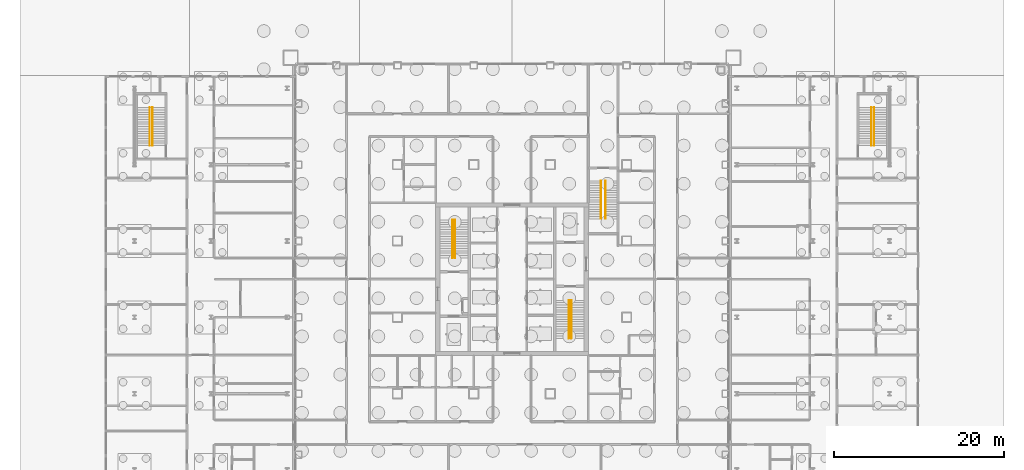
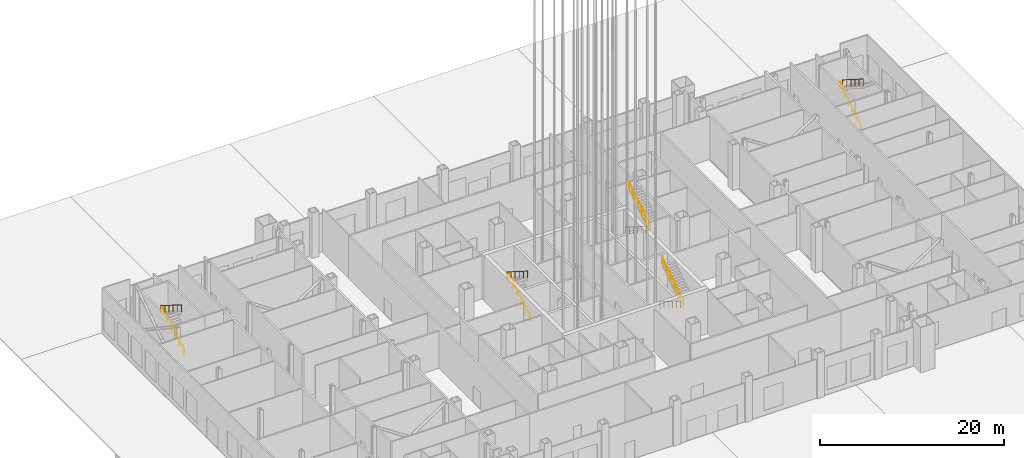
# One storey, part 15 of 36: 10 railings.
"""IFC4 building model written with IfcOpenShell, lengths in metres."""

from ifc_helpers import new_model, si_unit, direction, frame, origin, origin_2d, place, context, subcontext, project, spatial, circle, extrude, material, type_object, element, save


model = new_model("IFC4")

# Units and contexts
model_context = context("Model", 3, precision=1e-05, world=origin(), true_north=direction((0.0, 1.0)))
body_context = subcontext(model_context, "Body", "Model", "MODEL_VIEW")
ifc_project = project(units=[si_unit("LENGTHUNIT", "METRE"), si_unit("AREAUNIT", "SQUARE_METRE"), si_unit("VOLUMEUNIT", "CUBIC_METRE"), si_unit("PLANEANGLEUNIT", "RADIAN"), si_unit("MASSUNIT", "GRAM", prefix="KILO")], contexts=[model_context])

# Site, building, storey
site_placement = place(None, origin())
site = spatial("IfcSite", under=ifc_project, at=site_placement, CompositionType="ELEMENT")
building_placement = place(site_placement, origin())
building = spatial("IfcBuilding", under=site, at=building_placement, Name="Malebo Sky Hospital", CompositionType="ELEMENT")
storey_placement = place(building_placement, origin())
storey = spatial("IfcBuildingStorey", under=building, at=storey_placement, Name="L00", CompositionType="ELEMENT", Elevation=0.0)

# Railings
ifc_material = material(Name="Stainless steel tube", Category="steel")
railing_type = type_object("IfcRailingType", Name="STAIR HANDRAIL 900", PredefinedType="HANDRAIL", material=ifc_material)
railing_1_placement = place(storey_placement, frame((53.300048828125, 64.5, 0.176513671875)))
element("IfcRailing", 1, at=railing_1_placement, inside=storey, type_object=railing_type, Name="Stair handrail S1 flight 1", PredefinedType="HANDRAIL", context=body_context, shape_type="SweptSolid", body=[
    extrude(circle(Radius=0.02392578125, at=origin_2d()), frame((0.0, 0.0, 0.8759765625), z_axis=(0.0, 0.845997938375, 0.533186166611), x_axis=(-1.0, 0.0, 0.0)), (0.0, 0.0, 1.0), 5.29541015625),
    extrude(circle(Radius=0.02099609375, at=origin_2d()), origin(), (0.0, 0.0, 1.0), 0.851806640625),
    extrude(circle(Radius=0.02099609375, at=origin_2d()), frame((0.0, 0.89599609375, 0.564697265625)), (0.0, 0.0, 1.0), 0.851806640625),
    extrude(circle(Radius=0.02099609375, at=origin_2d()), frame((0.0, 1.7919921875, 1.12939453125)), (0.0, 0.0, 1.0), 0.851806640625),
    extrude(circle(Radius=0.02099609375, at=origin_2d()), frame((0.0, 2.68798828125, 1.694091796875)), (0.0, 0.0, 1.0), 0.851806640625),
    extrude(circle(Radius=0.02099609375, at=origin_2d()), frame((0.0, 3.583984375, 2.2587890625)), (0.0, 0.0, 1.0), 0.851806640625),
    extrude(circle(Radius=0.02099609375, at=origin_2d()), frame((0.0, 4.47998046875, 2.823486328125)), (0.0, 0.0, 1.0), 0.851806640625),
])
for number, where, name in (
    (2, (53.0, 68.97998046875, 3.176513671875), "Stair handrail S1 flight 2"),
    (3, (66.699951171875, 59.5, 0.176513671875), "Stair handrail S2 flight 1"),
):
    element("IfcRailing", number, at=place(storey_placement, frame(where)), inside=storey, type_object=railing_type, Name=name, PredefinedType="HANDRAIL", context=body_context, shape_type="SweptSolid", body=[
        extrude(circle(Radius=0.02392578125, at=origin_2d()), frame((0.0, 0.0, 0.8759765625), z_axis=(0.0, -0.845997938375, 0.533186166611), x_axis=(1.0, 0.0, 0.0)), (0.0, 0.0, 1.0), 5.29541015625),
        extrude(circle(Radius=0.02099609375, at=origin_2d()), origin(), (0.0, 0.0, 1.0), 0.851806640625),
        extrude(circle(Radius=0.02099609375, at=origin_2d()), frame((0.0, -0.89599609375, 0.564697265625)), (0.0, 0.0, 1.0), 0.851806640625),
        extrude(circle(Radius=0.02099609375, at=origin_2d()), frame((0.0, -1.7919921875, 1.12939453125)), (0.0, 0.0, 1.0), 0.851806640625),
        extrude(circle(Radius=0.02099609375, at=origin_2d()), frame((0.0, -2.68798828125, 1.694091796875)), (0.0, 0.0, 1.0), 0.851806640625),
        extrude(circle(Radius=0.02099609375, at=origin_2d()), frame((0.0, -3.583984375, 2.2587890625)), (0.0, 0.0, 1.0), 0.851806640625),
        extrude(circle(Radius=0.02099609375, at=origin_2d()), frame((0.0, -4.47998046875, 2.823486328125)), (0.0, 0.0, 1.0), 0.851806640625),
    ])
railing_2_placement = place(storey_placement, frame((67.0, 55.02001953125, 3.176513671875)))
element("IfcRailing", 4, at=railing_2_placement, inside=storey, type_object=railing_type, Name="Stair handrail S2 flight 2", PredefinedType="HANDRAIL", context=body_context, shape_type="SweptSolid", body=[
    extrude(circle(Radius=0.02392578125, at=origin_2d()), frame((0.0, 0.0, 0.8759765625), z_axis=(0.0, 0.845997938375, 0.533186166611), x_axis=(-1.0, 0.0, 0.0)), (0.0, 0.0, 1.0), 5.29541015625),
    extrude(circle(Radius=0.02099609375, at=origin_2d()), origin(), (0.0, 0.0, 1.0), 0.851806640625),
    extrude(circle(Radius=0.02099609375, at=origin_2d()), frame((0.0, 0.89599609375, 0.564697265625)), (0.0, 0.0, 1.0), 0.851806640625),
    extrude(circle(Radius=0.02099609375, at=origin_2d()), frame((0.0, 1.7919921875, 1.12939453125)), (0.0, 0.0, 1.0), 0.851806640625),
    extrude(circle(Radius=0.02099609375, at=origin_2d()), frame((0.0, 2.68798828125, 1.694091796875)), (0.0, 0.0, 1.0), 0.851806640625),
    extrude(circle(Radius=0.02099609375, at=origin_2d()), frame((0.0, 3.583984375, 2.2587890625)), (0.0, 0.0, 1.0), 0.851806640625),
    extrude(circle(Radius=0.02099609375, at=origin_2d()), frame((0.0, 4.47998046875, 2.823486328125)), (0.0, 0.0, 1.0), 0.851806640625),
])
railing_3_placement = place(storey_placement, frame((70.5, 73.60009765625, 0.176513671875)))
element("IfcRailing", 5, at=railing_3_placement, inside=storey, type_object=railing_type, Name="Stair handrail S3 flight 1", PredefinedType="HANDRAIL", context=body_context, shape_type="SweptSolid", body=[
    extrude(circle(Radius=0.02392578125, at=origin_2d()), frame((0.0, 0.0, 0.8759765625), z_axis=(0.0, -0.845997938375, 0.533186166611), x_axis=(1.0, 0.0, 0.0)), (0.0, 0.0, 1.0), 5.29541015625),
    extrude(circle(Radius=0.02099609375, at=origin_2d()), origin(), (0.0, 0.0, 1.0), 0.851806640625),
    extrude(circle(Radius=0.02099609375, at=origin_2d()), frame((0.0, -0.89599609375, 0.564697265625)), (0.0, 0.0, 1.0), 0.851806640625),
    extrude(circle(Radius=0.02099609375, at=origin_2d()), frame((0.0, -1.7919921875, 1.12939453125)), (0.0, 0.0, 1.0), 0.851806640625),
    extrude(circle(Radius=0.02099609375, at=origin_2d()), frame((0.0, -2.68798828125, 1.694091796875)), (0.0, 0.0, 1.0), 0.851806640625),
    extrude(circle(Radius=0.02099609375, at=origin_2d()), frame((0.0, -3.583984375, 2.2587890625)), (0.0, 0.0, 1.0), 0.851806640625),
    extrude(circle(Radius=0.02099609375, at=origin_2d()), frame((0.0, -4.47998046875, 2.823486328125)), (0.0, 0.0, 1.0), 0.851806640625),
])
for number, where, name in (
    (6, (71.0, 69.1201171875, 3.176513671875), "Stair handrail S3 flight 2"),
    (7, (17.60009765625, 77.75, 0.176513671875), "Stair handrail WS flight 1"),
):
    element("IfcRailing", number, at=place(storey_placement, frame(where)), inside=storey, type_object=railing_type, Name=name, PredefinedType="HANDRAIL", context=body_context, shape_type="SweptSolid", body=[
        extrude(circle(Radius=0.02392578125, at=origin_2d()), frame((0.0, 0.0, 0.8759765625), z_axis=(0.0, 0.845997938375, 0.533186166611), x_axis=(-1.0, 0.0, 0.0)), (0.0, 0.0, 1.0), 5.29541015625),
        extrude(circle(Radius=0.02099609375, at=origin_2d()), origin(), (0.0, 0.0, 1.0), 0.851806640625),
        extrude(circle(Radius=0.02099609375, at=origin_2d()), frame((0.0, 0.89599609375, 0.564697265625)), (0.0, 0.0, 1.0), 0.851806640625),
        extrude(circle(Radius=0.02099609375, at=origin_2d()), frame((0.0, 1.7919921875, 1.12939453125)), (0.0, 0.0, 1.0), 0.851806640625),
        extrude(circle(Radius=0.02099609375, at=origin_2d()), frame((0.0, 2.68798828125, 1.694091796875)), (0.0, 0.0, 1.0), 0.851806640625),
        extrude(circle(Radius=0.02099609375, at=origin_2d()), frame((0.0, 3.583984375, 2.2587890625)), (0.0, 0.0, 1.0), 0.851806640625),
        extrude(circle(Radius=0.02099609375, at=origin_2d()), frame((0.0, 4.47998046875, 2.823486328125)), (0.0, 0.0, 1.0), 0.851806640625),
    ])
railing_4_placement = place(storey_placement, frame((17.300048828125, 82.22998046875, 3.176513671875)))
element("IfcRailing", 8, at=railing_4_placement, inside=storey, type_object=railing_type, Name="Stair handrail WS flight 2", PredefinedType="HANDRAIL", context=body_context, shape_type="SweptSolid", body=[
    extrude(circle(Radius=0.02392578125, at=origin_2d()), frame((0.0, 0.0, 0.8759765625), z_axis=(0.0, -0.845997938375, 0.533186166611), x_axis=(1.0, 0.0, 0.0)), (0.0, 0.0, 1.0), 5.29541015625),
    extrude(circle(Radius=0.02099609375, at=origin_2d()), origin(), (0.0, 0.0, 1.0), 0.851806640625),
    extrude(circle(Radius=0.02099609375, at=origin_2d()), frame((0.0, -0.89599609375, 0.564697265625)), (0.0, 0.0, 1.0), 0.851806640625),
    extrude(circle(Radius=0.02099609375, at=origin_2d()), frame((0.0, -1.7919921875, 1.12939453125)), (0.0, 0.0, 1.0), 0.851806640625),
    extrude(circle(Radius=0.02099609375, at=origin_2d()), frame((0.0, -2.68798828125, 1.694091796875)), (0.0, 0.0, 1.0), 0.851806640625),
    extrude(circle(Radius=0.02099609375, at=origin_2d()), frame((0.0, -3.583984375, 2.2587890625)), (0.0, 0.0, 1.0), 0.851806640625),
    extrude(circle(Radius=0.02099609375, at=origin_2d()), frame((0.0, -4.47998046875, 2.823486328125)), (0.0, 0.0, 1.0), 0.851806640625),
])
railing_5_placement = place(storey_placement, frame((102.39990234375, 77.75, 0.176513671875)))
element("IfcRailing", 9, at=railing_5_placement, inside=storey, type_object=railing_type, Name="Stair handrail ES flight 1", PredefinedType="HANDRAIL", context=body_context, shape_type="SweptSolid", body=[
    extrude(circle(Radius=0.02392578125, at=origin_2d()), frame((0.0, 0.0, 0.8759765625), z_axis=(0.0, 0.845997938375, 0.533186166611), x_axis=(-1.0, 0.0, 0.0)), (0.0, 0.0, 1.0), 5.29541015625),
    extrude(circle(Radius=0.02099609375, at=origin_2d()), origin(), (0.0, 0.0, 1.0), 0.851806640625),
    extrude(circle(Radius=0.02099609375, at=origin_2d()), frame((0.0, 0.89599609375, 0.564697265625)), (0.0, 0.0, 1.0), 0.851806640625),
    extrude(circle(Radius=0.02099609375, at=origin_2d()), frame((0.0, 1.7919921875, 1.12939453125)), (0.0, 0.0, 1.0), 0.851806640625),
    extrude(circle(Radius=0.02099609375, at=origin_2d()), frame((0.0, 2.68798828125, 1.694091796875)), (0.0, 0.0, 1.0), 0.851806640625),
    extrude(circle(Radius=0.02099609375, at=origin_2d()), frame((0.0, 3.583984375, 2.2587890625)), (0.0, 0.0, 1.0), 0.851806640625),
    extrude(circle(Radius=0.02099609375, at=origin_2d()), frame((0.0, 4.47998046875, 2.823486328125)), (0.0, 0.0, 1.0), 0.851806640625),
])
railing_6_placement = place(storey_placement, frame((102.699951171875, 82.22998046875, 3.176513671875)))
element("IfcRailing", 10, at=railing_6_placement, inside=storey, type_object=railing_type, Name="Stair handrail ES flight 2", PredefinedType="HANDRAIL", context=body_context, shape_type="SweptSolid", body=[
    extrude(circle(Radius=0.02392578125, at=origin_2d()), frame((0.0, 0.0, 0.8759765625), z_axis=(0.0, -0.845997938375, 0.533186166611), x_axis=(1.0, 0.0, 0.0)), (0.0, 0.0, 1.0), 5.29541015625),
    extrude(circle(Radius=0.02099609375, at=origin_2d()), origin(), (0.0, 0.0, 1.0), 0.851806640625),
    extrude(circle(Radius=0.02099609375, at=origin_2d()), frame((0.0, -0.89599609375, 0.564697265625)), (0.0, 0.0, 1.0), 0.851806640625),
    extrude(circle(Radius=0.02099609375, at=origin_2d()), frame((0.0, -1.7919921875, 1.12939453125)), (0.0, 0.0, 1.0), 0.851806640625),
    extrude(circle(Radius=0.02099609375, at=origin_2d()), frame((0.0, -2.68798828125, 1.694091796875)), (0.0, 0.0, 1.0), 0.851806640625),
    extrude(circle(Radius=0.02099609375, at=origin_2d()), frame((0.0, -3.583984375, 2.2587890625)), (0.0, 0.0, 1.0), 0.851806640625),
    extrude(circle(Radius=0.02099609375, at=origin_2d()), frame((0.0, -4.47998046875, 2.823486328125)), (0.0, 0.0, 1.0), 0.851806640625),
])

save(model, "model.ifc")
